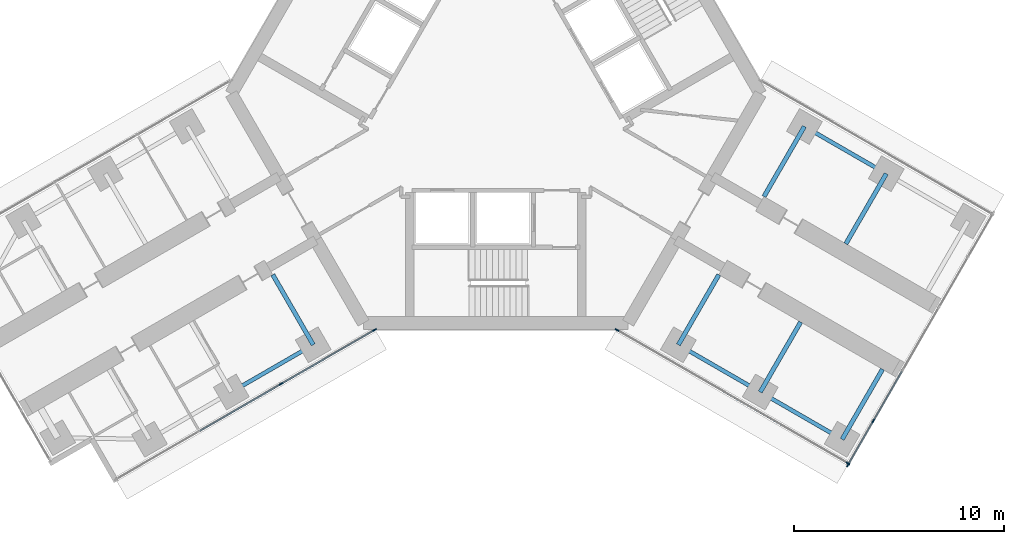
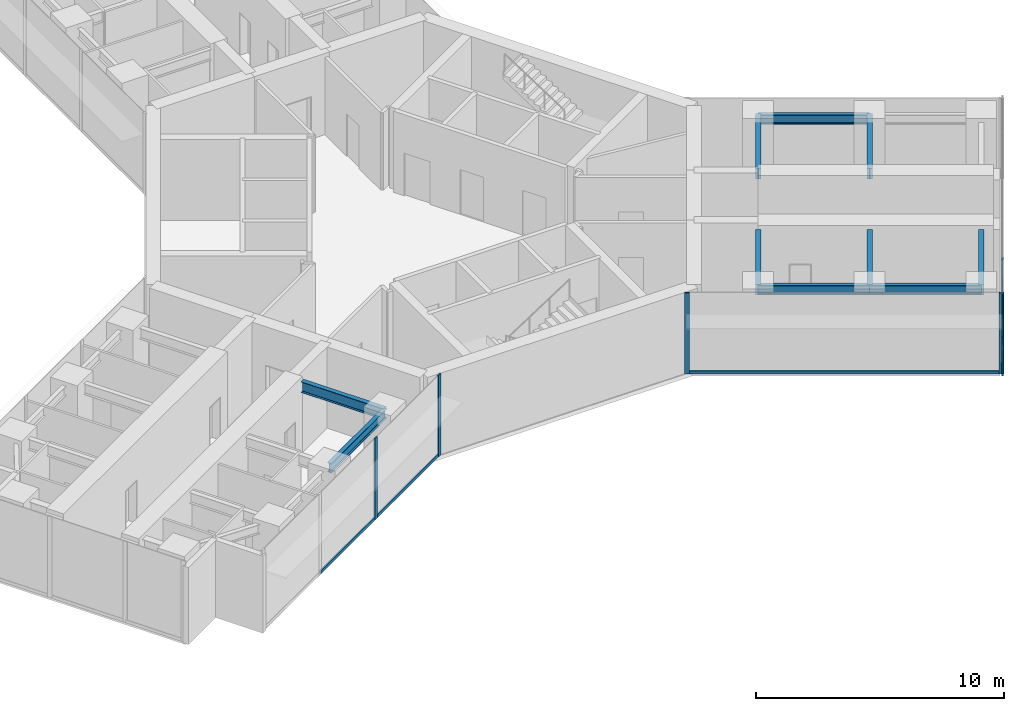
# One storey, part 8 of 23: 11 members, 10 beams, 3 elements without a shape of their own.
"""IFC4 building model written with IfcOpenShell, lengths in metres."""

from ifc_helpers import new_model, si_unit, direction, frame, origin, origin_2d, place, context, subcontext, project, spatial, rectangle, i_section, extrude, material, material_profile, profile_set, type_object, element, aggregate, save


model = new_model("IFC4")

# Units and contexts
model_context = context("Model", 3, precision=1e-05, world=origin(), true_north=direction((0.0, 1.0)))
body_context = subcontext(model_context, "Body", "Model", "MODEL_VIEW")
ifc_project = project(units=[si_unit("LENGTHUNIT", "METRE"), si_unit("AREAUNIT", "SQUARE_METRE"), si_unit("VOLUMEUNIT", "CUBIC_METRE"), si_unit("PLANEANGLEUNIT", "RADIAN"), si_unit("MASSUNIT", "GRAM", prefix="KILO")], contexts=[model_context])

# Site, building, storey
site_placement = place(None, origin())
site = spatial("IfcSite", under=ifc_project, at=site_placement, CompositionType="ELEMENT")
building_placement = place(site_placement, origin())
building = spatial("IfcBuilding", under=site, at=building_placement, Name="Upepo Twin Towers", CompositionType="ELEMENT")
storey_placement = place(building_placement, frame((0.0, 0.0, 149.5)))
storey = spatial("IfcBuildingStorey", under=building, at=storey_placement, Name="L36", CompositionType="ELEMENT", Elevation=149.5)

# Beams
ifc_material_1 = material(Name="Steel S355", Category="steel")
ifc_material_profile_1 = material_profile(ifc_material_1, i_section(OverallWidth=0.1904296875, OverallDepth=0.45703125, WebThickness=0.009033203125, FlangeThickness=0.014404296875, FilletRadius=0.01025390625, at=origin_2d()), Name="UB 457x191x74")
ifc_profile_set_1 = profile_set([ifc_material_profile_1], Name="Steel S355")
beam_type_1 = type_object("IfcBeamType", Name="Beam UB 457x191x74", PredefinedType="BEAM", material=ifc_profile_set_1)
for number, where, z_axis, x_axis, name in (
    (1, (49.80859375, -29.946044921875, 3.571533203125), (-0.866017533419, -0.500013631625, 0.0), (0.500013631625, -0.866017533419, 0.0), "T2 edge beam BL 13.5-18.0"),
    (2, (73.19140625, -19.553955078125, 3.571533203125), (0.866017533419, -0.500013631625, 0.0), (0.500013631625, 0.866017533419, 0.0), "T2 edge beam CL 13.5-18.0"),
    (3, (67.19140625, -29.946044921875, 3.571533203125), (0.866017533419, -0.500013631625, 0.0), (0.500013631625, 0.866017533419, 0.0), "T2 edge beam CR 13.5-18.0"),
):
    element("IfcBeam", number, at=place(storey_placement, frame(where, z_axis=z_axis, x_axis=x_axis)), inside=storey, type_object=beam_type_1, Name=name, PredefinedType="BEAM", context=body_context, shape_type="SweptSolid", body=[
        extrude(i_section(OverallWidth=0.1904296875, OverallDepth=0.45703125, WebThickness=0.009033203125, FlangeThickness=0.014404296875, FilletRadius=0.01025390625, at=origin_2d()), origin(), (0.0, 0.0, 1.0), 4.499755859375),
    ])
beam_1_placement = place(storey_placement, frame((71.08837890625, -32.196044921875, 3.571533203125), z_axis=(0.866031096941, -0.499990139034, 0.0), x_axis=(0.499990139034, 0.866031096941, 0.0)))
element("IfcBeam", 4, at=beam_1_placement, inside=storey, type_object=beam_type_1, Name="T2 edge beam CR 18.0-22.5", PredefinedType="BEAM", context=body_context, shape_type="SweptSolid", body=[
    extrude(i_section(OverallWidth=0.1904296875, OverallDepth=0.45703125, WebThickness=0.009033203125, FlangeThickness=0.014404296875, FilletRadius=0.01025390625, at=origin_2d()), origin(), (0.0, 0.0, 1.0), 4.5),
])
ifc_material_2 = material(Name="Steel S355", Category="steel")
ifc_material_profile_2 = material_profile(ifc_material_2, i_section(OverallWidth=0.209228515625, OverallDepth=0.533203125, WebThickness=0.010009765625, FlangeThickness=0.015625, FilletRadius=0.0126953125, at=origin_2d()), Name="UB 533x210x92")
ifc_profile_set_2 = profile_set([ifc_material_profile_2], Name="Steel S355")
beam_type_2 = type_object("IfcBeamType", Name="Beam UB 533x210x92", PredefinedType="BEAM", material=ifc_profile_set_2)
for number, where, z_axis, x_axis, name in (
    (5, (49.80859375, -29.946044921875, 3.533447265625), (-0.500033517596, 0.866006051527, 0.0), (-0.866006051527, -0.500033517596, 0.0), "T2 girder BL at 13.5"),
    (6, (73.19140625, -19.553955078125, 3.533447265625), (-0.500033517596, -0.866006051527, 0.0), (0.866006051527, -0.500033517596, 0.0), "T2 girder CL at 13.5"),
):
    element("IfcBeam", number, at=place(storey_placement, frame(where, z_axis=z_axis, x_axis=x_axis)), inside=storey, type_object=beam_type_2, Name=name, PredefinedType="BEAM", context=body_context, shape_type="SweptSolid", body=[
        extrude(i_section(OverallWidth=0.209228515625, OverallDepth=0.533203125, WebThickness=0.010009765625, FlangeThickness=0.015625, FilletRadius=0.0126953125, at=origin_2d()), origin(), (0.0, 0.0, 1.0), 3.849853515625),
    ])
beam_2_placement = place(storey_placement, frame((77.08837890625, -21.803955078125, 3.533447265625), z_axis=(-0.499985955615, -0.866033512162, 0.0), x_axis=(0.866033512162, -0.499985955615, 0.0)))
element("IfcBeam", 7, at=beam_2_placement, inside=storey, type_object=beam_type_2, Name="T2 girder CL at 18.0", PredefinedType="BEAM", context=body_context, shape_type="SweptSolid", body=[
    extrude(i_section(OverallWidth=0.209228515625, OverallDepth=0.533203125, WebThickness=0.010009765625, FlangeThickness=0.015625, FilletRadius=0.0126953125, at=origin_2d()), origin(), (0.0, 0.0, 1.0), 3.849609375),
])
for number, where, z_axis, x_axis, name in (
    (8, (67.19140625, -29.946044921875, 3.533447265625), (0.500033517596, 0.866006051527, 0.0), (-0.866006051527, 0.500033517596, 0.0), "T2 girder CR at 13.5"),
    (9, (71.08837890625, -32.196044921875, 3.533447265625), (0.500033517596, 0.866006051527, 0.0), (-0.866006051527, 0.500033517596, 0.0), "T2 girder CR at 18.0"),
    (10, (74.985595703125, -34.446044921875, 3.533447265625), (0.500033517596, 0.866006051527, 0.0), (-0.866006051527, 0.500033517596, 0.0), "T2 girder CR at 22.5"),
):
    element("IfcBeam", number, at=place(storey_placement, frame(where, z_axis=z_axis, x_axis=x_axis)), inside=storey, type_object=beam_type_2, Name=name, PredefinedType="BEAM", context=body_context, shape_type="SweptSolid", body=[
        extrude(i_section(OverallWidth=0.209228515625, OverallDepth=0.533203125, WebThickness=0.010009765625, FlangeThickness=0.015625, FilletRadius=0.0126953125, at=origin_2d()), origin(), (0.0, 0.0, 1.0), 3.849853515625),
    ])

# Curtain wall, members
ifc_material_3 = material(Name="Aluminium and fritted glass", Category="aluminium")
curtain_wall_type = type_object("IfcCurtainWallType", Name="Tower curtain wall TW2, fritted glass", PredefinedType="NOTDEFINED", material=ifc_material_3)
curtain_wall_1_placement = place(storey_placement, origin())
curtain_wall_1 = element("IfcCurtainWall", 11, at=curtain_wall_1_placement, inside=storey, type_object=curtain_wall_type, Name="T2 L36 wing B flank L curtain wall", PredefinedType="NOTDEFINED")
ifc_material_4 = material(Name="Aluminium mullion", Category="aluminium")
ifc_material_profile_3 = material_profile(ifc_material_4, rectangle(XDim=0.06494140625, YDim=0.199951171875, at=origin_2d()), Name="MULLION 65x200")
ifc_profile_set_3 = profile_set([ifc_material_profile_3], Name="Aluminium mullion")
member_type_1 = type_object("IfcMemberType", Name="Mullion 65x200 TW2", PredefinedType="MULLION", material=ifc_profile_set_3)
member_1_placement = place(storey_placement, frame((52.72802734375, -29.2421875, 0.0), z_axis=(0.0, 0.0, 1.0), x_axis=(0.500000010308, -0.866025397833, 0.0)))
member_1 = element("IfcMember", 12, at=member_1_placement, type_object=member_type_1, Name="T2 L36 wing B flank L curtain wall mullion 1", PredefinedType="MULLION", context=body_context, shape_type="SweptSolid", body=[
    extrude(rectangle(XDim=0.06494140625, YDim=0.199951171875, at=origin_2d()), origin(), (0.0, 0.0, 1.0), 4.0),
])
member_2_placement = place(storey_placement, frame((48.28515625, -31.807373046875, 0.0), z_axis=(0.0, 0.0, 1.0), x_axis=(0.500000010308, -0.866025397833, 0.0)))
member_2 = element("IfcMember", 13, at=member_2_placement, type_object=member_type_1, Name="T2 L36 wing B flank L curtain wall mullion 2", PredefinedType="MULLION", context=body_context, shape_type="SweptSolid", body=[
    extrude(rectangle(XDim=0.06494140625, YDim=0.199951171875, at=origin_2d()), origin(), (0.0, 0.0, 1.0), 4.0),
])

curtain_wall_2_placement = place(storey_placement, origin())
curtain_wall_2 = element("IfcCurtainWall", 14, at=curtain_wall_2_placement, inside=storey, type_object=curtain_wall_type, Name="T2 L36 wing C flank R curtain wall", PredefinedType="NOTDEFINED")
member_3_placement = place(storey_placement, frame((75.2685546875, -35.591064453125, 0.0), z_axis=(0.0, 0.0, 1.0), x_axis=(-0.50000000792, -0.866025399212, 0.0)))
member_3 = element("IfcMember", 15, at=member_3_placement, type_object=member_type_1, Name="T2 L36 wing C flank R curtain wall mullion 1", PredefinedType="MULLION", context=body_context, shape_type="SweptSolid", body=[
    extrude(rectangle(XDim=0.06494140625, YDim=0.199951171875, at=origin_2d()), origin(), (0.0, 0.0, 1.0), 4.0),
])
member_4_placement = place(storey_placement, frame((64.27197265625, -29.2421875, 0.0), z_axis=(0.0, 0.0, 1.0), x_axis=(-0.50000000792, -0.866025399212, 0.0)))
member_4 = element("IfcMember", 16, at=member_4_placement, type_object=member_type_1, Name="T2 L36 wing C flank R curtain wall mullion 2", PredefinedType="MULLION", context=body_context, shape_type="SweptSolid", body=[
    extrude(rectangle(XDim=0.06494140625, YDim=0.199951171875, at=origin_2d()), origin(), (0.0, 0.0, 1.0), 4.0),
])

curtain_wall_3_placement = place(storey_placement, origin())
curtain_wall_3 = element("IfcCurtainWall", 17, at=curtain_wall_3_placement, inside=storey, type_object=curtain_wall_type, Name="T2 L36 wing C nose curtain wall", PredefinedType="NOTDEFINED")
member_5_placement = place(storey_placement, frame((75.262939453125, -35.665771484375, 0.0), z_axis=(0.0, 0.0, 1.0), x_axis=(-0.866025419745, 0.499999972355, 0.0)))
member_5 = element("IfcMember", 18, at=member_5_placement, type_object=member_type_1, Name="T2 L36 wing C nose curtain wall mullion 1", PredefinedType="MULLION", context=body_context, shape_type="SweptSolid", body=[
    extrude(rectangle(XDim=0.06494140625, YDim=0.199951171875, at=origin_2d()), origin(), (0.0, 0.0, 1.0), 4.0),
])
member_6_placement = place(storey_placement, frame((76.4716796875, -33.572021484375, 0.0), z_axis=(0.0, 0.0, 1.0), x_axis=(-0.866025419745, 0.499999972355, 0.0)))
member_6 = element("IfcMember", 19, at=member_6_placement, type_object=member_type_1, Name="T2 L36 wing C nose curtain wall mullion 2", PredefinedType="MULLION", context=body_context, shape_type="SweptSolid", body=[
    extrude(rectangle(XDim=0.06494140625, YDim=0.199951171875, at=origin_2d()), origin(), (0.0, 0.0, 1.0), 4.0),
])

# Member
ifc_material_5 = material(Name="Aluminium transom", Category="aluminium")
ifc_material_profile_4 = material_profile(ifc_material_5, rectangle(XDim=0.06494140625, YDim=0.14990234375, at=origin_2d()), Name="TRANSOM 65x150")
ifc_profile_set_4 = profile_set([ifc_material_profile_4], Name="Aluminium transom")
member_type_2 = type_object("IfcMemberType", Name="Transom 65x150 TW2", PredefinedType="USERDEFINED", material=ifc_profile_set_4)
member_7_placement = place(storey_placement, frame((52.699951171875, -29.25830078125, 0.074951171875), z_axis=(-0.866021848223, -0.500006158363, 0.0), x_axis=(0.500006158363, -0.866021848223, 0.0)))
member_7 = element("IfcMember", 20, at=member_7_placement, type_object=member_type_2, Name="T2 L36 wing B flank L curtain wall transom 1", ObjectType="TRANSOM", PredefinedType="USERDEFINED", context=body_context, shape_type="SweptSolid", body=[
    extrude(rectangle(XDim=0.06494140625, YDim=0.14990234375, at=origin_2d()), origin(), (0.0, 0.0, 1.0), 5.0654296875),
])

member_8_placement = place(storey_placement, frame((48.2568359375, -31.823486328125, 0.074951171875), z_axis=(-0.866022410713, -0.500005184116, 0.0), x_axis=(0.500005184116, -0.866022410713, 0.0)))
member_8 = element("IfcMember", 21, at=member_8_placement, type_object=member_type_2, Name="T2 L36 wing B flank L curtain wall transom 2", ObjectType="TRANSOM", PredefinedType="USERDEFINED", context=body_context, shape_type="SweptSolid", body=[
    extrude(rectangle(XDim=0.06494140625, YDim=0.14990234375, at=origin_2d()), origin(), (0.0, 0.0, 1.0), 4.43505859375),
])

aggregate(curtain_wall_1, [member_1, member_2, member_7, member_8])

member_9_placement = place(storey_placement, frame((75.240478515625, -35.57470703125, 0.074951171875), z_axis=(-0.866027247007, 0.499996807431, 0.0), x_axis=(-0.499996807431, -0.866027247007, 0.0)))
member_9 = element("IfcMember", 22, at=member_9_placement, type_object=member_type_2, Name="T2 L36 wing C flank R curtain wall transom 1", ObjectType="TRANSOM", PredefinedType="USERDEFINED", context=body_context, shape_type="SweptSolid", body=[
    extrude(rectangle(XDim=0.06494140625, YDim=0.14990234375, at=origin_2d()), origin(), (0.0, 0.0, 1.0), 12.6328125),
])

aggregate(curtain_wall_2, [member_3, member_4, member_9])

member_10_placement = place(storey_placement, frame((75.279296875, -35.6376953125, 0.074951171875), z_axis=(0.499923095048, 0.866069800327, 0.0), x_axis=(-0.866069800327, 0.499923095048, 0.0)))
member_10 = element("IfcMember", 23, at=member_10_placement, type_object=member_type_2, Name="T2 L36 wing C nose curtain wall transom 1", ObjectType="TRANSOM", PredefinedType="USERDEFINED", context=body_context, shape_type="SweptSolid", body=[
    extrude(rectangle(XDim=0.06494140625, YDim=0.14990234375, at=origin_2d()), origin(), (0.0, 0.0, 1.0), 2.352294921875),
])

member_11_placement = place(storey_placement, frame((76.488037109375, -33.5439453125, 0.074951171875), z_axis=(0.49995335277, 0.8660523339, 0.0), x_axis=(-0.8660523339, 0.49995335277, 0.0)))
member_11 = element("IfcMember", 24, at=member_11_placement, type_object=member_type_2, Name="T2 L36 wing C nose curtain wall transom 2", ObjectType="TRANSOM", PredefinedType="USERDEFINED", context=body_context, shape_type="SweptSolid", body=[
    extrude(rectangle(XDim=0.06494140625, YDim=0.14990234375, at=origin_2d()), origin(), (0.0, 0.0, 1.0), 2.684814453125),
])

aggregate(curtain_wall_3, [member_5, member_6, member_10, member_11])

save(model, "model.ifc")
